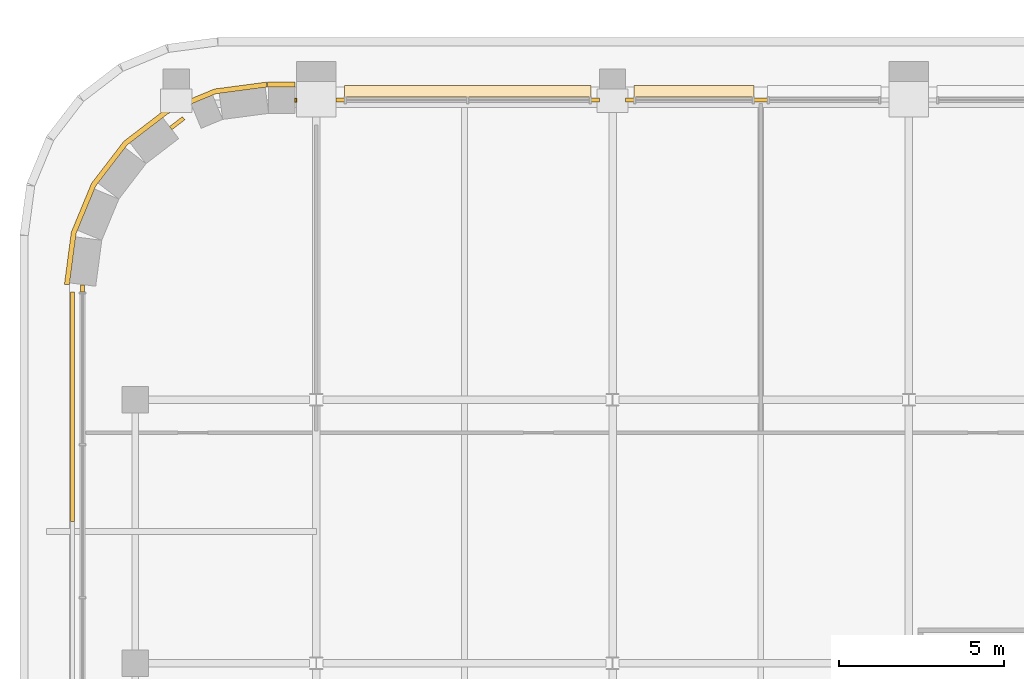
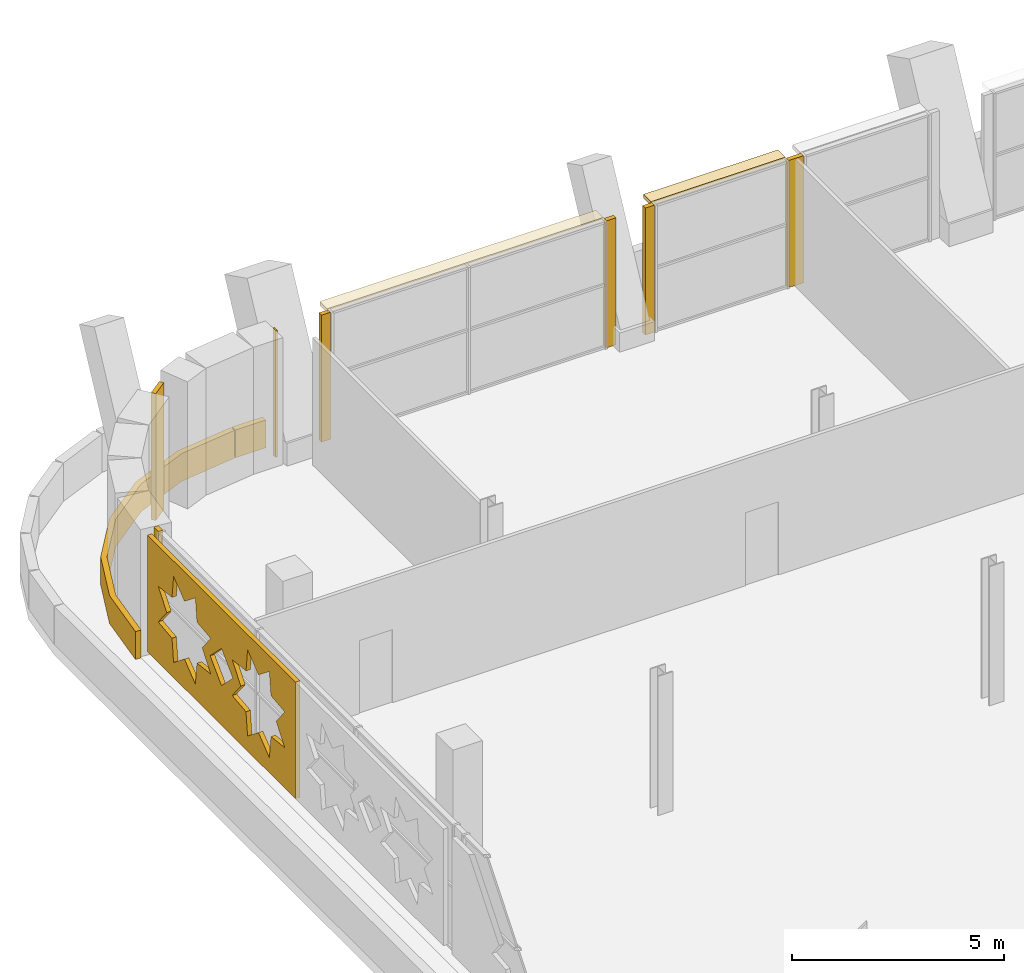
# One storey, part 22 of 25: 12 coverings.
"""IFC4 building model written with IfcOpenShell, lengths in metres."""

import ifcopenshell
import ifcopenshell.guid

model = None  # the IFC model being written
_history = None  # IfcOwnerHistory: only IFC2X3 demands one
_inside = {}  # id of a spatial element -> (the spatial element, [elements in it])
_under = {}  # id of a project, library or spatial element -> (it, [spatial elements below it])
_declared = {}  # id of a project -> (the project, [libraries it declares])
_typed = {}  # id of a type object -> (the type object, [elements of that type])
_made_of = {}  # id of a material, layer set ... -> (it, [elements and type objects made of it])


def new_model(schema):
    """Start an empty IFC model of exactly this schema.

    Asked for "IFC4X3", IfcOpenShell would pick the latest addendum, in which some entities
    have other attributes; the version numbers below select the first issue.
    IFC2X3 requires an IfcOwnerHistory on every rooted entity: one is made here for all.
    """
    global model, _history
    if schema == "IFC4X3":
        model = ifcopenshell.file(schema_version=(4, 3, 0, 0))
    else:
        model = ifcopenshell.file(schema=schema)
    _inside.clear()
    _under.clear()
    _declared.clear()
    _typed.clear()
    _made_of.clear()
    _history = None
    if model.schema == "IFC2X3":
        org = make("IfcOrganization", Name="unknown")
        user = make(
            "IfcPersonAndOrganization",
            ThePerson=make("IfcPerson", FamilyName="unknown"),
            TheOrganization=org,
        )
        app = make(
            "IfcApplication",
            ApplicationDeveloper=org,
            Version="unknown",
            ApplicationFullName="unknown",
            ApplicationIdentifier="unknown",
        )
        _history = make(
            "IfcOwnerHistory",
            OwningUser=user,
            OwningApplication=app,
            ChangeAction="ADDED",
            CreationDate=0,
        )
    return model


def make(cls, **values):
    """One entity of the class cls with the attributes given. An attribute that is None is left unset."""
    return model.create_entity(
        cls, **{name: value for name, value in values.items() if value is not None}
    )


def rooted(cls, **values):
    """An entity with a GlobalId (a new one), such as an element, a storey or a relation."""
    return make(cls, GlobalId=ifcopenshell.guid.new(), OwnerHistory=_history, **values)


def si_unit(unit_type, name, prefix=None):
    """IfcSIUnit, for example si_unit("LENGTHUNIT", "METRE", prefix="MILLI")."""
    return make("IfcSIUnit", UnitType=unit_type, Prefix=prefix, Name=name)


def assignment(units):
    """IfcUnitAssignment: the units of a project."""
    return None if units is None else make("IfcUnitAssignment", Units=units)


def point(xyz):
    """IfcCartesianPoint."""
    return None if xyz is None else make("IfcCartesianPoint", Coordinates=xyz)


def direction(xyz):
    """IfcDirection."""
    return None if xyz is None else make("IfcDirection", DirectionRatios=xyz)


def frame(location, z_axis=None, x_axis=None):
    """IfcAxis2Placement3D, a coordinate frame: its origin and axes. An axis left out is left unset."""
    return make(
        "IfcAxis2Placement3D",
        Location=point(location),
        Axis=direction(z_axis),
        RefDirection=direction(x_axis),
    )


def frame_2d(location, x_axis=None):
    """IfcAxis2Placement2D, a coordinate frame in the plane: its origin and x axis."""
    return make(
        "IfcAxis2Placement2D", Location=point(location), RefDirection=direction(x_axis)
    )


def origin():
    """The frame at (0, 0, 0) with its axes left unset."""
    return frame((0.0, 0.0, 0.0))


def origin_2d():
    """The frame at (0, 0) in the plane with its x axis left unset."""
    return frame_2d((0.0, 0.0))


def place(relative_to, where):
    """IfcLocalPlacement: puts the frame where relative to a parent placement (None: the world)."""
    return make(
        "IfcLocalPlacement", PlacementRelTo=relative_to, RelativePlacement=where
    )


def context(
    kind, dimensions, precision=None, world=None, true_north=None, identifier=None
):
    """IfcGeometricRepresentationContext, for example the 3D "Model" context."""
    return make(
        "IfcGeometricRepresentationContext",
        ContextIdentifier=identifier,
        ContextType=kind,
        CoordinateSpaceDimension=dimensions,
        Precision=precision,
        WorldCoordinateSystem=world,
        TrueNorth=true_north,
    )


def subcontext(parent, identifier, kind, view, scale=None):
    """IfcGeometricRepresentationSubContext, for example "Body" below "Model"."""
    return make(
        "IfcGeometricRepresentationSubContext",
        ContextIdentifier=identifier,
        ContextType=kind,
        ParentContext=parent,
        TargetScale=scale,
        TargetView=view,
    )


def project(units=None, contexts=None):
    """IfcProject with its units and contexts."""
    return rooted(
        "IfcProject",
        Name="project",
        RepresentationContexts=contexts,
        UnitsInContext=assignment(units),
    )


def spatial(cls, under=None, at=None, **own):
    """A site, building, storey or space (cls), placed at a placement, below another one or the project."""
    s = rooted(cls, ObjectPlacement=at, **own)
    if under is not None:
        _under.setdefault(under.id(), (under, []))[1].append(s)
    return s


def polyline(points):
    """IfcPolyline through the points."""
    return make("IfcPolyline", Points=[point(p) for p in points])


def profile(cls, at=None, kind="AREA", **sizes):
    """A parametric profile (cls). Its sizes go by their IFC names, for example OverallWidth=200.0."""
    return make(cls, ProfileType=kind, Position=at, **sizes)


def rectangle(**sizes):
    """IfcRectangleProfileDef."""
    return profile("IfcRectangleProfileDef", **sizes)


def outline(outer, holes=None, kind="AREA"):
    """IfcArbitraryClosedProfileDef: a profile drawn as a closed curve; with holes, ...WithVoids."""
    if holes is None:
        return make("IfcArbitraryClosedProfileDef", ProfileType=kind, OuterCurve=outer)
    return make(
        "IfcArbitraryProfileDefWithVoids",
        ProfileType=kind,
        OuterCurve=outer,
        InnerCurves=holes,
    )


def extrude(swept, where, along, depth):
    """IfcExtrudedAreaSolid: the profile swept, set in the frame where, extruded along a direction by depth."""
    return make(
        "IfcExtrudedAreaSolid",
        SweptArea=swept,
        Position=where,
        ExtrudedDirection=direction(along),
        Depth=depth,
    )


def shape(context_of_items, identifier, shape_type, items):
    """IfcShapeRepresentation: the items that make up one representation, for example the "Body"."""
    return make(
        "IfcShapeRepresentation",
        ContextOfItems=context_of_items,
        RepresentationIdentifier=identifier,
        RepresentationType=shape_type,
        Items=items,
    )


def material(Name=None, Category=None):
    """IfcMaterial."""
    return make("IfcMaterial", Name=Name, Category=Category)


def layer(
    of_material, thickness, ventilated=None, Name=None, Category=None, Priority=None
):
    """IfcMaterialLayer: one layer of a wall or slab, of a material (None: an air gap)."""
    return make(
        "IfcMaterialLayer",
        Material=of_material,
        LayerThickness=thickness,
        IsVentilated=ventilated,
        Name=Name,
        Category=Category,
        Priority=Priority,
    )


def layer_set(layers, Name=None):
    """IfcMaterialLayerSet."""
    return make("IfcMaterialLayerSet", MaterialLayers=layers, LayerSetName=Name)


def made_of(thing, what):
    """Note that an element or type object is made of a material, layer set ...; save() writes the relation."""
    if what is not None:
        _made_of.setdefault(what.id(), (what, []))[1].append(thing)
    return thing


def type_object(cls, material=None, **own):
    """A type object (cls), such as IfcWallType, which elements share."""
    return made_of(rooted(cls, **own), material)


def element(
    cls,
    number,
    at=None,
    inside=None,
    cuts=None,
    type_object=None,
    material=None,
    context=None,
    identifier="Body",
    shape_type=None,
    held_by="IfcProductDefinitionShape",
    body=None,
    shapes=None,
    **own,
):
    """One element of the class cls, such as IfcWall. Its Tag is "e" and its number.

    at: its placement. inside: the storey or other place that contains it. cuts: it is an
    opening in that element (IfcRelVoidsElement). A single representation is given by context,
    identifier, shape_type and body (its items); several are given by shapes. held_by: the class
    of the entity that holds the representations. save() writes the other relations.
    """
    e = rooted(cls, Tag="e%d" % number, ObjectPlacement=at, **own)
    if body is not None:
        shapes = [shape(context, identifier, shape_type, body)]
    if shapes is not None:
        e.Representation = make(held_by, Representations=shapes)
    if inside is not None:
        _inside.setdefault(inside.id(), (inside, []))[1].append(e)
    if cuts is not None:
        rooted(
            "IfcRelVoidsElement", RelatingBuildingElement=cuts, RelatedOpeningElement=e
        )
    if type_object is not None:
        _typed.setdefault(type_object.id(), (type_object, []))[1].append(e)
    return made_of(e, material)


def aggregate(whole, parts):
    """IfcRelAggregates: a whole, such as a stair, and the parts it consists of."""
    return rooted("IfcRelAggregates", RelatingObject=whole, RelatedObjects=parts)


def save(model, path):
    """Write the relations noted so far, then the file.

    IfcRelAggregates (storeys below a building ...), IfcRelContainedInSpatialStructure (elements
    in a storey), IfcRelDefinesByType, IfcRelAssociatesMaterial and IfcRelDeclares: one each for
    every whole, place, type object, material and project.
    """
    for whole, parts in _under.values():
        aggregate(whole, parts)
    for where, things in _inside.values():
        rooted(
            "IfcRelContainedInSpatialStructure",
            RelatedElements=things,
            RelatingStructure=where,
        )
    for kind, things in _typed.values():
        rooted("IfcRelDefinesByType", RelatedObjects=things, RelatingType=kind)
    for what, things in _made_of.values():
        rooted("IfcRelAssociatesMaterial", RelatedObjects=things, RelatingMaterial=what)
    for by, libraries in _declared.values():
        rooted("IfcRelDeclares", RelatingContext=by, RelatedDefinitions=libraries)
    model.write(path)


model = new_model("IFC4")

# Units and contexts
model_context = context("Model", 3, precision=1e-05, world=origin(), true_north=direction((0.0, 1.0)))
body_context = subcontext(model_context, "Body", "Model", "MODEL_VIEW")
ifc_project = project(units=[si_unit("LENGTHUNIT", "METRE"), si_unit("AREAUNIT", "SQUARE_METRE"), si_unit("VOLUMEUNIT", "CUBIC_METRE"), si_unit("PLANEANGLEUNIT", "RADIAN"), si_unit("MASSUNIT", "GRAM", prefix="KILO")], contexts=[model_context])

# Site, building, storey
site_placement = place(None, origin())
site = spatial("IfcSite", under=ifc_project, at=site_placement, CompositionType="ELEMENT")
building_placement = place(site_placement, origin())
building = spatial("IfcBuilding", under=site, at=building_placement, Name="Zellij Exchange Tower", CompositionType="ELEMENT")
storey_placement = place(building_placement, frame((0.0, 0.0, 264.5)))
storey = spatial("IfcBuildingStorey", under=building, at=storey_placement, Name="L62", CompositionType="ELEMENT", Elevation=264.5)

# Coverings
ifc_material_1 = material(Name="Limestone cladding", Category="masonry")
ifc_layer_1 = layer(ifc_material_1, 0.14990234375)
ifc_layer_set_1 = layer_set([ifc_layer_1], Name="Limestone cladding")
covering_type_1 = type_object("IfcCoveringType", Name="ENV-CV1 Stone spandrel band 150", PredefinedType="CLADDING", material=ifc_layer_set_1)
covering_1_placement = place(storey_placement, origin())
element("IfcCovering", 1, at=covering_1_placement, inside=storey, type_object=covering_type_1, Name="Stone spandrel band", PredefinedType="CLADDING", context=body_context, shape_type="SweptSolid", body=[
    extrude(outline(polyline([(-27.64990234375, 31.5), (-28.473876953125, 31.5), (-28.483642578125, 31.64990234375), (-27.64990234375, 31.64990234375), (-27.64990234375, 31.5)])), origin(), (0.0, 0.0, 1.0), 0.800048828125),
])
covering_2_placement = place(storey_placement, origin())
element("IfcCovering", 2, at=covering_2_placement, inside=storey, type_object=covering_type_1, Name="Stone spandrel band", PredefinedType="CLADDING", context=body_context, shape_type="SweptSolid", body=[
    extrude(outline(polyline([(-28.5, 31.5), (-30.052978515625, 31.295654296875), (-31.5, 30.6962890625), (-32.74267578125, 29.74267578125), (-33.6962890625, 28.5), (-34.295654296875, 27.052978515625), (-34.5, 25.5), (-34.64990234375, 25.509765625), (-34.441650390625, 27.092041015625), (-33.8271484375, 28.57568359375), (-32.849609375, 29.849609375), (-31.57568359375, 30.8271484375), (-30.092041015625, 31.441650390625), (-28.509765625, 31.64990234375), (-28.5, 31.5)])), origin(), (0.0, 0.0, 1.0), 0.800048828125),
])
ifc_layer_2 = layer(ifc_material_1, 0.1201171875)
ifc_layer_set_2 = layer_set([ifc_layer_2], Name="Limestone cladding")
covering_type_2 = type_object("IfcCoveringType", Name="ENV-CV18 Glazing closer 120", PredefinedType="CLADDING", material=ifc_layer_set_2)
covering_3_placement = place(storey_placement, frame((-31.225830078125, 30.40234375, 0.0), z_axis=(0.0, 0.0, 1.0), x_axis=(0.793316151692, 0.608809891071, 0.0)))
element("IfcCovering", 3, at=covering_3_placement, inside=storey, type_object=covering_type_2, Name="Glazing closer", PredefinedType="CLADDING", context=body_context, shape_type="SweptSolid", body=[
    extrude(rectangle(XDim=0.492919921875, YDim=0.1201171875, at=origin_2d()), origin(), (0.0, 0.0, 1.0), 3.64990234375),
])
covering_4_placement = place(storey_placement, frame((-13.5, 31.10009765625, 0.0), z_axis=(0.0, 0.0, 1.0), x_axis=(-1.0, 0.0, 0.0)))
element("IfcCovering", 4, at=covering_4_placement, inside=storey, type_object=covering_type_2, Name="Glazing closer", PredefinedType="CLADDING", context=body_context, shape_type="SweptSolid", body=[
    extrude(rectangle(XDim=0.39990234375, YDim=0.1201171875, at=origin_2d()), origin(), (0.0, 0.0, 1.0), 3.64990234375),
])
for number, where, z_axis, x_axis, name in (
    (5, (-17.47509765625, 31.10009765625, 0.0), (0.0, 0.0, 1.0), (-1.0, 0.0, 0.0), "Glazing closer"),
    (6, (-18.52490234375, 31.10009765625, 0.0), (0.0, 0.0, 1.0), (1.0, 0.0, 0.0), "Glazing closer"),
    (7, (-26.27490234375, 31.10009765625, 0.0), (0.0, 0.0, 1.0), (-1.0, 0.0, 0.0), "Glazing closer"),
):
    element("IfcCovering", number, at=place(storey_placement, frame(where, z_axis=z_axis, x_axis=x_axis)), inside=storey, type_object=covering_type_2, Name=name, PredefinedType="CLADDING", context=body_context, shape_type="SweptSolid", body=[
        extrude(rectangle(XDim=0.25, YDim=0.1201171875, at=origin_2d()), origin(), (0.0, 0.0, 1.0), 3.64990234375),
    ])
covering_5_placement = place(storey_placement, frame((-34.10009765625, 25.383056640625, 0.0), z_axis=(0.0, 0.0, 1.0), x_axis=(0.0, 1.0, 0.0)))
element("IfcCovering", 8, at=covering_5_placement, inside=storey, type_object=covering_type_2, Name="Glazing closer", PredefinedType="CLADDING", context=body_context, shape_type="SweptSolid", body=[
    extrude(rectangle(XDim=0.218505859375, YDim=0.1201171875, at=origin_2d()), origin(), (0.0, 0.0, 1.0), 3.64990234375),
])
covering_6_placement = place(storey_placement, frame((-27.625, 31.10009765625, 0.0), z_axis=(0.0, 0.0, 1.0), x_axis=(1.0, 0.0, 0.0)))
element("IfcCovering", 9, at=covering_6_placement, inside=storey, type_object=covering_type_2, Name="Glazing closer", PredefinedType="CLADDING", context=body_context, shape_type="SweptSolid", body=[
    extrude(rectangle(XDim=0.050048828125, YDim=0.1201171875, at=origin_2d()), origin(), (0.0, 0.0, 1.0), 3.64990234375),
])
ifc_material_2 = material(Name="Limestone screen", Category="masonry")
ifc_layer_3 = layer(ifc_material_2, 0.1201171875)
ifc_layer_set_3 = layer_set([ifc_layer_3], Name="Limestone screen")
covering_type_3 = type_object("IfcCoveringType", Name="ENV-SC1 Pierced stone screen 120", PredefinedType="USERDEFINED", material=ifc_layer_set_3)
covering_7_placement = place(storey_placement, frame((-34.39990234375, 25.273681640625, 0.300048828125), z_axis=(0.0, 0.0, 1.0), x_axis=(0.0, -1.0, 0.0)))
element("IfcCovering", 10, at=covering_7_placement, inside=storey, type_object=covering_type_3, Name="Pierced stone screen", ObjectType="SCREEN", PredefinedType="USERDEFINED", context=body_context, shape_type="SweptSolid", body=[
    extrude(outline(polyline([(0.0, 0.0), (6.96728515625, 0.0), (6.96728515625, 3.35009765625), (0.0, 3.35009765625), (0.0, 0.0)]), holes=[polyline([(2.979736328125, 2.187744140625), (2.329345703125, 2.262451171875), (2.254638671875, 2.9130859375), (1.74169921875, 2.505859375), (1.22900390625, 2.9130859375), (1.154296875, 2.262451171875), (0.50390625, 2.187744140625), (0.910888671875, 1.675048828125), (0.50390625, 1.162109375), (1.154296875, 1.08740234375), (1.22900390625, 0.43701171875), (1.74169921875, 0.84423828125), (2.254638671875, 0.43701171875), (2.329345703125, 1.08740234375), (2.979736328125, 1.162109375), (2.572509765625, 1.675048828125), (2.979736328125, 2.187744140625)]), polyline([(6.46337890625, 2.187744140625), (5.81298828125, 2.262451171875), (5.73828125, 2.9130859375), (5.2255859375, 2.505859375), (4.712646484375, 2.9130859375), (4.637939453125, 2.262451171875), (3.987548828125, 2.187744140625), (4.394775390625, 1.675048828125), (3.987548828125, 1.162109375), (4.637939453125, 1.08740234375), (4.712646484375, 0.43701171875), (5.2255859375, 0.84423828125), (5.73828125, 0.43701171875), (5.81298828125, 1.08740234375), (6.46337890625, 1.162109375), (6.056396484375, 1.675048828125), (6.46337890625, 2.187744140625)]), polyline([(4.019775390625, 1.675048828125), (3.483642578125, 2.2109375), (2.94775390625, 1.675048828125), (3.483642578125, 1.138916015625), (4.019775390625, 1.675048828125)])]), frame((0.0, 0.06005859375, 0.0), z_axis=(0.0, -1.0, 0.0), x_axis=(1.0, 0.0, 0.0)), (0.0, 0.0, 1.0), 0.1201171875),
])
ifc_material_3 = material(Name="Limestone sunshade", Category="masonry")
ifc_layer_4 = layer(ifc_material_3, 0.1201171875)
ifc_layer_set_4 = layer_set([ifc_layer_4], Name="Limestone sunshade")
covering_type_4 = type_object("IfcCoveringType", Name="ENV-SC2 Stone sunshade 120", PredefinedType="USERDEFINED", material=ifc_layer_set_4)
covering_8_placement = place(storey_placement, frame((0.0, 0.0, 3.530029296875)))
element("IfcCovering", 11, at=covering_8_placement, inside=storey, type_object=covering_type_4, Name="Stone sunshade", ObjectType="SUNSHADE", PredefinedType="USERDEFINED", context=body_context, shape_type="SweptSolid", body=[
    extrude(outline(polyline([(-13.699951171875, 31.199951171875), (-17.35009765625, 31.199951171875), (-17.35009765625, 31.550048828125), (-13.699951171875, 31.550048828125), (-13.699951171875, 31.199951171875)])), origin(), (0.0, 0.0, 1.0), 0.119873046875),
])
covering_9_placement = place(storey_placement, frame((0.0, 0.0, 3.530029296875)))
element("IfcCovering", 12, at=covering_9_placement, inside=storey, type_object=covering_type_4, Name="Stone sunshade", ObjectType="SUNSHADE", PredefinedType="USERDEFINED", context=body_context, shape_type="SweptSolid", body=[
    extrude(outline(polyline([(-18.64990234375, 31.199951171875), (-26.14990234375, 31.199951171875), (-26.14990234375, 31.550048828125), (-18.64990234375, 31.550048828125), (-18.64990234375, 31.199951171875)])), origin(), (0.0, 0.0, 1.0), 0.119873046875),
])

save(model, "model.ifc")
